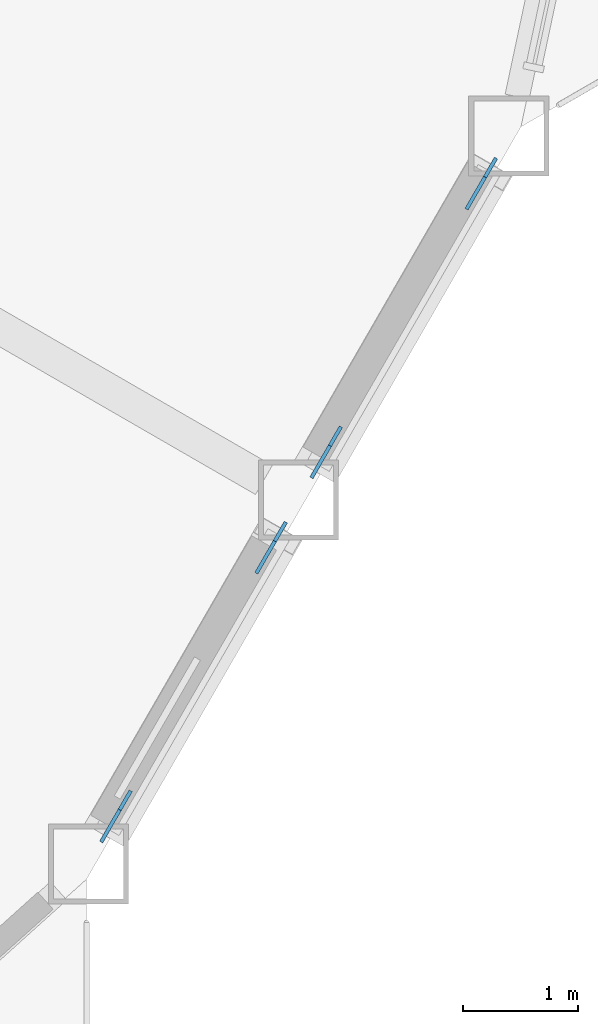
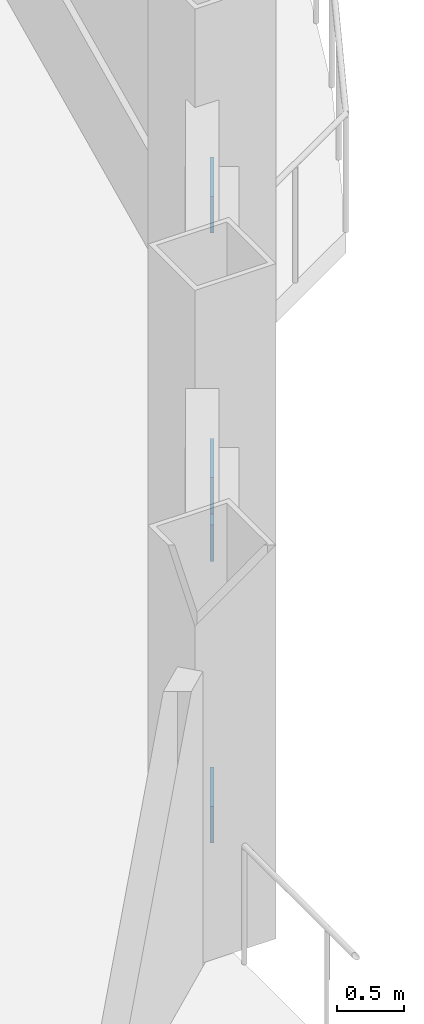
# One storey, part 17 of 24: 4 discrete accessories.
"""IFC4 building model written with IfcOpenShell, lengths in metres."""

import ifcopenshell
import ifcopenshell.guid

model = None  # the IFC model being written
_history = None  # IfcOwnerHistory: only IFC2X3 demands one
_inside = {}  # id of a spatial element -> (the spatial element, [elements in it])
_under = {}  # id of a project, library or spatial element -> (it, [spatial elements below it])
_declared = {}  # id of a project -> (the project, [libraries it declares])
_typed = {}  # id of a type object -> (the type object, [elements of that type])
_made_of = {}  # id of a material, layer set ... -> (it, [elements and type objects made of it])


def new_model(schema):
    """Start an empty IFC model of exactly this schema.

    Asked for "IFC4X3", IfcOpenShell would pick the latest addendum, in which some entities
    have other attributes; the version numbers below select the first issue.
    IFC2X3 requires an IfcOwnerHistory on every rooted entity: one is made here for all.
    """
    global model, _history
    if schema == "IFC4X3":
        model = ifcopenshell.file(schema_version=(4, 3, 0, 0))
    else:
        model = ifcopenshell.file(schema=schema)
    _inside.clear()
    _under.clear()
    _declared.clear()
    _typed.clear()
    _made_of.clear()
    _history = None
    if model.schema == "IFC2X3":
        org = make("IfcOrganization", Name="unknown")
        user = make(
            "IfcPersonAndOrganization",
            ThePerson=make("IfcPerson", FamilyName="unknown"),
            TheOrganization=org,
        )
        app = make(
            "IfcApplication",
            ApplicationDeveloper=org,
            Version="unknown",
            ApplicationFullName="unknown",
            ApplicationIdentifier="unknown",
        )
        _history = make(
            "IfcOwnerHistory",
            OwningUser=user,
            OwningApplication=app,
            ChangeAction="ADDED",
            CreationDate=0,
        )
    return model


def make(cls, **values):
    """One entity of the class cls with the attributes given. An attribute that is None is left unset."""
    return model.create_entity(
        cls, **{name: value for name, value in values.items() if value is not None}
    )


def rooted(cls, **values):
    """An entity with a GlobalId (a new one), such as an element, a storey or a relation."""
    return make(cls, GlobalId=ifcopenshell.guid.new(), OwnerHistory=_history, **values)


def si_unit(unit_type, name, prefix=None):
    """IfcSIUnit, for example si_unit("LENGTHUNIT", "METRE", prefix="MILLI")."""
    return make("IfcSIUnit", UnitType=unit_type, Prefix=prefix, Name=name)


def assignment(units):
    """IfcUnitAssignment: the units of a project."""
    return None if units is None else make("IfcUnitAssignment", Units=units)


def point(xyz):
    """IfcCartesianPoint."""
    return None if xyz is None else make("IfcCartesianPoint", Coordinates=xyz)


def direction(xyz):
    """IfcDirection."""
    return None if xyz is None else make("IfcDirection", DirectionRatios=xyz)


def frame(location, z_axis=None, x_axis=None):
    """IfcAxis2Placement3D, a coordinate frame: its origin and axes. An axis left out is left unset."""
    return make(
        "IfcAxis2Placement3D",
        Location=point(location),
        Axis=direction(z_axis),
        RefDirection=direction(x_axis),
    )


def frame_2d(location, x_axis=None):
    """IfcAxis2Placement2D, a coordinate frame in the plane: its origin and x axis."""
    return make(
        "IfcAxis2Placement2D", Location=point(location), RefDirection=direction(x_axis)
    )


def origin():
    """The frame at (0, 0, 0) with its axes left unset."""
    return frame((0.0, 0.0, 0.0))


def origin_2d():
    """The frame at (0, 0) in the plane with its x axis left unset."""
    return frame_2d((0.0, 0.0))


def place(relative_to, where):
    """IfcLocalPlacement: puts the frame where relative to a parent placement (None: the world)."""
    return make(
        "IfcLocalPlacement", PlacementRelTo=relative_to, RelativePlacement=where
    )


def context(
    kind, dimensions, precision=None, world=None, true_north=None, identifier=None
):
    """IfcGeometricRepresentationContext, for example the 3D "Model" context."""
    return make(
        "IfcGeometricRepresentationContext",
        ContextIdentifier=identifier,
        ContextType=kind,
        CoordinateSpaceDimension=dimensions,
        Precision=precision,
        WorldCoordinateSystem=world,
        TrueNorth=true_north,
    )


def subcontext(parent, identifier, kind, view, scale=None):
    """IfcGeometricRepresentationSubContext, for example "Body" below "Model"."""
    return make(
        "IfcGeometricRepresentationSubContext",
        ContextIdentifier=identifier,
        ContextType=kind,
        ParentContext=parent,
        TargetScale=scale,
        TargetView=view,
    )


def project(units=None, contexts=None):
    """IfcProject with its units and contexts."""
    return rooted(
        "IfcProject",
        Name="project",
        RepresentationContexts=contexts,
        UnitsInContext=assignment(units),
    )


def spatial(cls, under=None, at=None, **own):
    """A site, building, storey or space (cls), placed at a placement, below another one or the project."""
    s = rooted(cls, ObjectPlacement=at, **own)
    if under is not None:
        _under.setdefault(under.id(), (under, []))[1].append(s)
    return s


def profile(cls, at=None, kind="AREA", **sizes):
    """A parametric profile (cls). Its sizes go by their IFC names, for example OverallWidth=200.0."""
    return make(cls, ProfileType=kind, Position=at, **sizes)


def rectangle(**sizes):
    """IfcRectangleProfileDef."""
    return profile("IfcRectangleProfileDef", **sizes)


def extrude(swept, where, along, depth):
    """IfcExtrudedAreaSolid: the profile swept, set in the frame where, extruded along a direction by depth."""
    return make(
        "IfcExtrudedAreaSolid",
        SweptArea=swept,
        Position=where,
        ExtrudedDirection=direction(along),
        Depth=depth,
    )


def shape(context_of_items, identifier, shape_type, items):
    """IfcShapeRepresentation: the items that make up one representation, for example the "Body"."""
    return make(
        "IfcShapeRepresentation",
        ContextOfItems=context_of_items,
        RepresentationIdentifier=identifier,
        RepresentationType=shape_type,
        Items=items,
    )


def material(Name=None, Category=None):
    """IfcMaterial."""
    return make("IfcMaterial", Name=Name, Category=Category)


def material_profile(
    of_material, cross_section, Name=None, Category=None, Priority=None
):
    """IfcMaterialProfile: a cross section and its material."""
    return make(
        "IfcMaterialProfile",
        Name=Name,
        Material=of_material,
        Profile=cross_section,
        Priority=Priority,
        Category=Category,
    )


def profile_set(profiles, Name=None, composite=None):
    """IfcMaterialProfileSet."""
    return make(
        "IfcMaterialProfileSet",
        Name=Name,
        MaterialProfiles=profiles,
        CompositeProfile=composite,
    )


def made_of(thing, what):
    """Note that an element or type object is made of a material, layer set ...; save() writes the relation."""
    if what is not None:
        _made_of.setdefault(what.id(), (what, []))[1].append(thing)
    return thing


def type_object(cls, material=None, **own):
    """A type object (cls), such as IfcWallType, which elements share."""
    return made_of(rooted(cls, **own), material)


def element(
    cls,
    number,
    at=None,
    inside=None,
    cuts=None,
    type_object=None,
    material=None,
    context=None,
    identifier="Body",
    shape_type=None,
    held_by="IfcProductDefinitionShape",
    body=None,
    shapes=None,
    **own,
):
    """One element of the class cls, such as IfcWall. Its Tag is "e" and its number.

    at: its placement. inside: the storey or other place that contains it. cuts: it is an
    opening in that element (IfcRelVoidsElement). A single representation is given by context,
    identifier, shape_type and body (its items); several are given by shapes. held_by: the class
    of the entity that holds the representations. save() writes the other relations.
    """
    e = rooted(cls, Tag="e%d" % number, ObjectPlacement=at, **own)
    if body is not None:
        shapes = [shape(context, identifier, shape_type, body)]
    if shapes is not None:
        e.Representation = make(held_by, Representations=shapes)
    if inside is not None:
        _inside.setdefault(inside.id(), (inside, []))[1].append(e)
    if cuts is not None:
        rooted(
            "IfcRelVoidsElement", RelatingBuildingElement=cuts, RelatedOpeningElement=e
        )
    if type_object is not None:
        _typed.setdefault(type_object.id(), (type_object, []))[1].append(e)
    return made_of(e, material)


def aggregate(whole, parts):
    """IfcRelAggregates: a whole, such as a stair, and the parts it consists of."""
    return rooted("IfcRelAggregates", RelatingObject=whole, RelatedObjects=parts)


def save(model, path):
    """Write the relations noted so far, then the file.

    IfcRelAggregates (storeys below a building ...), IfcRelContainedInSpatialStructure (elements
    in a storey), IfcRelDefinesByType, IfcRelAssociatesMaterial and IfcRelDeclares: one each for
    every whole, place, type object, material and project.
    """
    for whole, parts in _under.values():
        aggregate(whole, parts)
    for where, things in _inside.values():
        rooted(
            "IfcRelContainedInSpatialStructure",
            RelatedElements=things,
            RelatingStructure=where,
        )
    for kind, things in _typed.values():
        rooted("IfcRelDefinesByType", RelatedObjects=things, RelatingType=kind)
    for what, things in _made_of.values():
        rooted("IfcRelAssociatesMaterial", RelatedObjects=things, RelatingMaterial=what)
    for by, libraries in _declared.values():
        rooted("IfcRelDeclares", RelatingContext=by, RelatedDefinitions=libraries)
    model.write(path)


model = new_model("IFC4")

# Units and contexts
model_context = context("Model", 3, precision=1e-05, world=origin(), true_north=direction((0.0, 1.0)))
body_context = subcontext(model_context, "Body", "Model", "MODEL_VIEW")
ifc_project = project(units=[si_unit("LENGTHUNIT", "METRE"), si_unit("AREAUNIT", "SQUARE_METRE"), si_unit("VOLUMEUNIT", "CUBIC_METRE"), si_unit("PLANEANGLEUNIT", "RADIAN"), si_unit("MASSUNIT", "GRAM", prefix="KILO")], contexts=[model_context])

# Site, building, storey
site_placement = place(None, origin())
site = spatial("IfcSite", under=ifc_project, at=site_placement, CompositionType="ELEMENT")
building_placement = place(site_placement, origin())
building = spatial("IfcBuilding", under=site, at=building_placement, Name="Cormorant Prow Tower", CompositionType="ELEMENT")
storey_placement = place(building_placement, frame((0.0, 0.0, 270.60009765625)))
storey = spatial("IfcBuildingStorey", under=building, at=storey_placement, Name="L61", CompositionType="ELEMENT", Elevation=270.60009765625)

# Discrete accessories
ifc_material = material(Name="Structural steel ASTM A500 Gr C", Category="steel")
ifc_material_profile = material_profile(ifc_material, rectangle(XDim=0.031982421875, YDim=0.506103515625, at=origin_2d()), Name="Gusset plate 32x506")
ifc_profile_set = profile_set([ifc_material_profile], Name="Structural steel ASTM A500 Gr C")
discrete_accessory_type = type_object("IfcDiscreteAccessoryType", Name="Gusset plate 32x506", PredefinedType="BRACKET", material=ifc_profile_set)
discrete_accessory_1_placement = place(storey_placement, frame((26.262939453125, -18.658203125, 0.863037109375), z_axis=(-0.462827914709, -0.801584490837, -0.378487285673), x_axis=(0.866010015463, -0.500026652407, 0.0)))
element("IfcDiscreteAccessory", 1, at=discrete_accessory_1_placement, inside=storey, type_object=discrete_accessory_type, Name="Gusset plate GP2 L61.ESE00.g0", PredefinedType="BRACKET", context=body_context, shape_type="SweptSolid", body=[
    extrude(rectangle(XDim=0.031982421875, YDim=0.506103515625, at=origin_2d()), origin(), (0.0, 0.0, 1.0), 0.350341796875),
])
discrete_accessory_2_placement = place(storey_placement, frame((27.454833984375, -16.59375, 1.837646484375), z_axis=(0.462538490196, 0.801593854051, 0.378821116405), x_axis=(-0.866147934042, 0.499787711288, 0.0)))
element("IfcDiscreteAccessory", 2, at=discrete_accessory_2_placement, inside=storey, type_object=discrete_accessory_type, Name="Gusset plate GP2 L61.ESE00.g1", PredefinedType="BRACKET", context=body_context, shape_type="SweptSolid", body=[
    extrude(rectangle(XDim=0.031982421875, YDim=0.506103515625, at=origin_2d()), origin(), (0.0, 0.0, 1.0), 0.349853515625),
])
discrete_accessory_3_placement = place(storey_placement, frame((28.09814453125, -15.4794921875, 0.863037109375), z_axis=(-0.462827914709, -0.801584490837, -0.378487285673), x_axis=(0.866010015463, -0.500026652407, 0.0)))
element("IfcDiscreteAccessory", 3, at=discrete_accessory_3_placement, inside=storey, type_object=discrete_accessory_type, Name="Gusset plate GP2 L61.ESE01.g0", PredefinedType="BRACKET", context=body_context, shape_type="SweptSolid", body=[
    extrude(rectangle(XDim=0.031982421875, YDim=0.506103515625, at=origin_2d()), origin(), (0.0, 0.0, 1.0), 0.350341796875),
])
discrete_accessory_4_placement = place(storey_placement, frame((29.2900390625, -13.4150390625, 1.837646484375), z_axis=(0.462538490196, 0.801593854051, 0.378821116405), x_axis=(-0.866147934042, 0.499787711288, 0.0)))
element("IfcDiscreteAccessory", 4, at=discrete_accessory_4_placement, inside=storey, type_object=discrete_accessory_type, Name="Gusset plate GP2 L61.ESE01.g1", PredefinedType="BRACKET", context=body_context, shape_type="SweptSolid", body=[
    extrude(rectangle(XDim=0.031982421875, YDim=0.506103515625, at=origin_2d()), origin(), (0.0, 0.0, 1.0), 0.349853515625),
])

save(model, "model.ifc")
